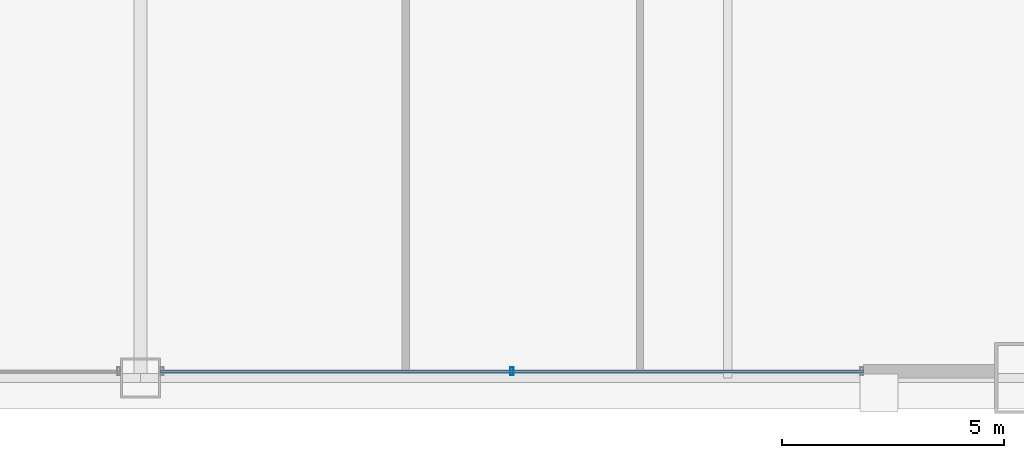
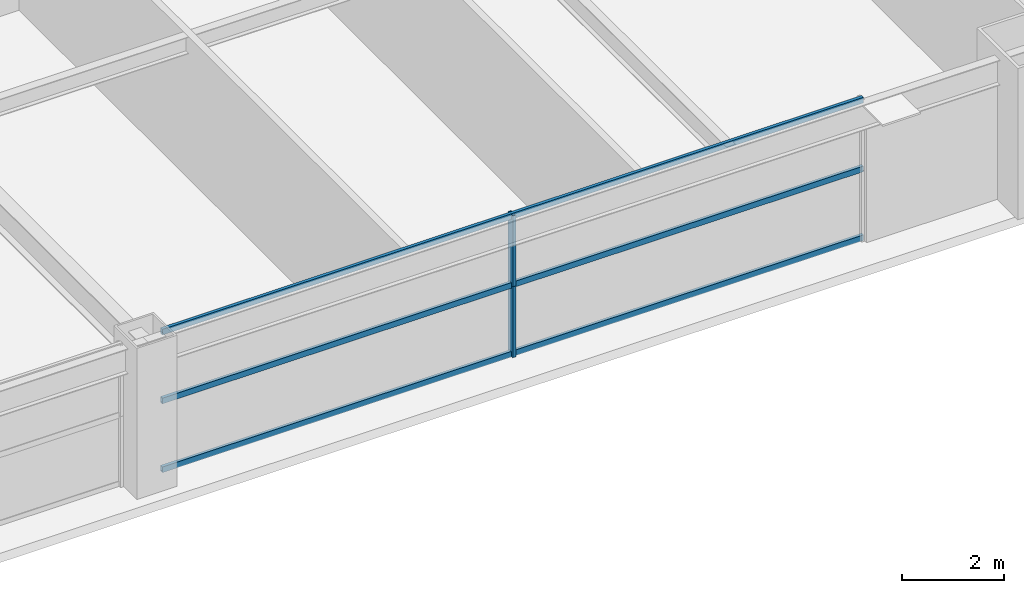
# One storey, part 14 of 39: 5 members, 1 element without a shape of its own.
"""IFC4 building model written with IfcOpenShell, lengths in metres."""

from ifc_helpers import new_model, si_unit, direction, frame, origin, origin_2d, place, context, subcontext, project, spatial, hollow_rectangle, extrude, source, transform, mapped, material, layer, layer_set, material_profile, profile_set, type_object, element, aggregate, save


model = new_model("IFC4")

# Units and contexts
model_context = context("Model", 3, precision=1e-05, world=origin(), true_north=direction((0.0, 1.0)))
body_context = subcontext(model_context, "Body", "Model", "MODEL_VIEW")
ifc_project = project(units=[si_unit("LENGTHUNIT", "METRE"), si_unit("AREAUNIT", "SQUARE_METRE"), si_unit("VOLUMEUNIT", "CUBIC_METRE"), si_unit("PLANEANGLEUNIT", "RADIAN"), si_unit("MASSUNIT", "GRAM", prefix="KILO"), si_unit("THERMODYNAMICTEMPERATUREUNIT", "KELVIN"), si_unit("POWERUNIT", "WATT")], contexts=[model_context])

# Site, building, storey
site_placement = place(None, origin())
site = spatial("IfcSite", under=ifc_project, at=site_placement, CompositionType="ELEMENT")
building_placement = place(site_placement, origin())
building = spatial("IfcBuilding", under=site, at=building_placement, Name="Yuzanri Waterfront Tower", CompositionType="ELEMENT")
storey_placement = place(building_placement, frame((0.0, 0.0, 141.60009765625)))
storey = spatial("IfcBuildingStorey", under=building, at=storey_placement, Name="L37", CompositionType="ELEMENT", Elevation=141.60009765625)

# Curtain wall, members
ifc_material_1 = material(Name="Anodized Architectural Bronze", Category="metal")
ifc_layer = layer(ifc_material_1, 0.159912109375)
ifc_layer_set = layer_set([ifc_layer], Name="Anodized Architectural Bronze")
curtain_wall_type = type_object("IfcCurtainWallType", Name="Anodized Bronze Hotel Upper-Tier Solar-Control Unitized Curtain Wall 7800", PredefinedType="NOTDEFINED", material=ifc_layer_set)
curtain_wall_placement = place(storey_placement, origin())
curtain_wall = element("IfcCurtainWall", 1, at=curtain_wall_placement, inside=storey, type_object=curtain_wall_type, Name="L37 Curtain Wall CW-L37-SR", PredefinedType="NOTDEFINED")
ifc_material_2 = material(Name="Anodized Architectural Bronze", Category="metal")
ifc_material_profile_1 = material_profile(ifc_material_2, hollow_rectangle(XDim=0.070068359375, YDim=0.179931640625, WallThickness=0.00390625, at=origin_2d()), Name="CWM 70x180")
ifc_profile_set_1 = profile_set([ifc_material_profile_1], Name="Anodized Architectural Bronze")
member_type_1 = type_object("IfcMemberType", Name="Anodized Bronze Standard Curtain-Wall Mullion 70x180", PredefinedType="MULLION", material=ifc_profile_set_1)
shared_shape_1 = source(origin(), body_context, "Body", "SweptSolid", [
    extrude(hollow_rectangle(XDim=0.070068359375, YDim=0.179931640625, WallThickness=0.00390625, at=origin_2d()), origin(), (0.0, 0.0, 1.0), 1.68798828125),
])
member_1_placement = place(storey_placement, frame((45.35009765625, 2.35009765625, 0.0), z_axis=(0.0, 0.0, 1.0), x_axis=(1.0, 0.0, 0.0)))
member_1 = element("IfcMember", 2, at=member_1_placement, type_object=member_type_1, Name="CW-L37-SR Lower Mullion 01", PredefinedType="MULLION", context=body_context, shape_type="MappedRepresentation", body=[
    mapped(shared_shape_1, transform((0.0, 0.0, 0.0), scale=1.0)),
])
member_2_placement = place(storey_placement, frame((45.35009765625, 2.35009765625, 1.69189453125), z_axis=(0.0, 0.0, 1.0), x_axis=(1.0, 0.0, 0.0)))
member_2 = element("IfcMember", 3, at=member_2_placement, type_object=member_type_1, Name="CW-L37-SR Upper Mullion 01", PredefinedType="MULLION", context=body_context, shape_type="MappedRepresentation", body=[
    mapped(shared_shape_1, transform((0.0, 0.0, 0.0), scale=1.0)),
])
ifc_material_3 = material(Name="Anodized Architectural Bronze", Category="metal")
ifc_material_profile_2 = material_profile(ifc_material_3, hollow_rectangle(XDim=0.070068359375, YDim=0.135009765625, WallThickness=0.00341796875, at=origin_2d()), Name="CWT 70x135")
ifc_profile_set_2 = profile_set([ifc_material_profile_2], Name="Anodized Architectural Bronze")
member_type_2 = type_object("IfcMemberType", Name="Anodized Bronze Standard Curtain-Wall Transom 70x135", PredefinedType="USERDEFINED", material=ifc_profile_set_2)
shared_shape_2 = source(origin(), body_context, "Body", "SweptSolid", [
    extrude(hollow_rectangle(XDim=0.070068359375, YDim=0.135009765625, WallThickness=0.00341796875, at=origin_2d()), origin(), (0.0, 0.0, 1.0), 15.800048828125),
])
member_3_placement = place(storey_placement, frame((37.449951171875, 2.35009765625, 0.0498046875), z_axis=(1.0, 0.0, 0.0), x_axis=(0.0, 1.0, 0.0)))
member_3 = element("IfcMember", 4, at=member_3_placement, type_object=member_type_2, Name="CW-L37-SR Transom 1", ObjectType="TRANSOM", PredefinedType="USERDEFINED", context=body_context, shape_type="MappedRepresentation", body=[
    mapped(shared_shape_2, transform((0.0, 0.0, 0.0), scale=1.0)),
])
member_4_placement = place(storey_placement, frame((37.449951171875, 2.35009765625, 1.68994140625), z_axis=(1.0, 0.0, 0.0), x_axis=(0.0, 1.0, 0.0)))
member_4 = element("IfcMember", 5, at=member_4_placement, type_object=member_type_2, Name="CW-L37-SR Transom 2", ObjectType="TRANSOM", PredefinedType="USERDEFINED", context=body_context, shape_type="MappedRepresentation", body=[
    mapped(shared_shape_2, transform((0.0, 0.0, 0.0), scale=1.0)),
])
member_5_placement = place(storey_placement, frame((37.449951171875, 2.35009765625, 3.329833984375), z_axis=(1.0, 0.0, 0.0), x_axis=(0.0, 1.0, 0.0)))
member_5 = element("IfcMember", 6, at=member_5_placement, type_object=member_type_2, Name="CW-L37-SR Transom 3", ObjectType="TRANSOM", PredefinedType="USERDEFINED", context=body_context, shape_type="MappedRepresentation", body=[
    mapped(shared_shape_2, transform((0.0, 0.0, 0.0), scale=1.0)),
])
aggregate(curtain_wall, [member_1, member_2, member_3, member_4, member_5])

save(model, "model.ifc")
